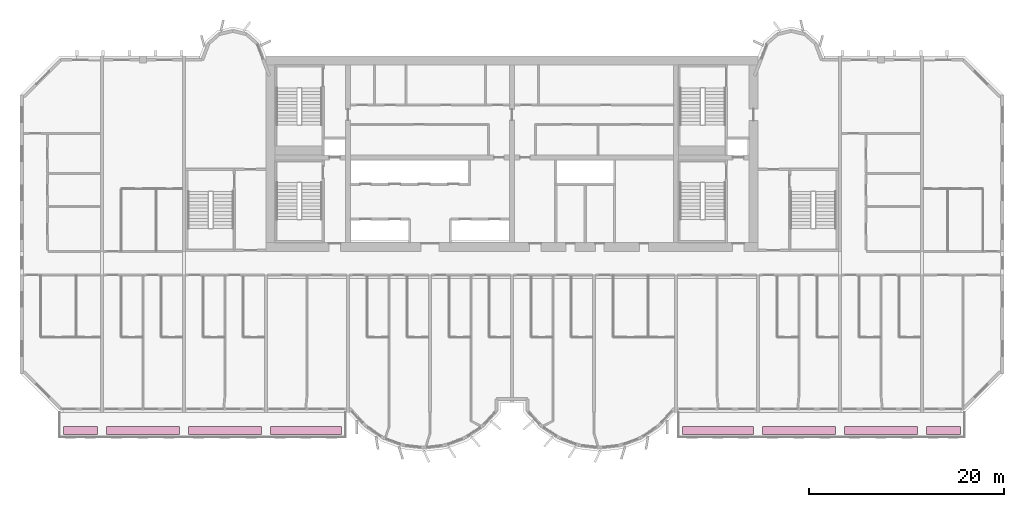
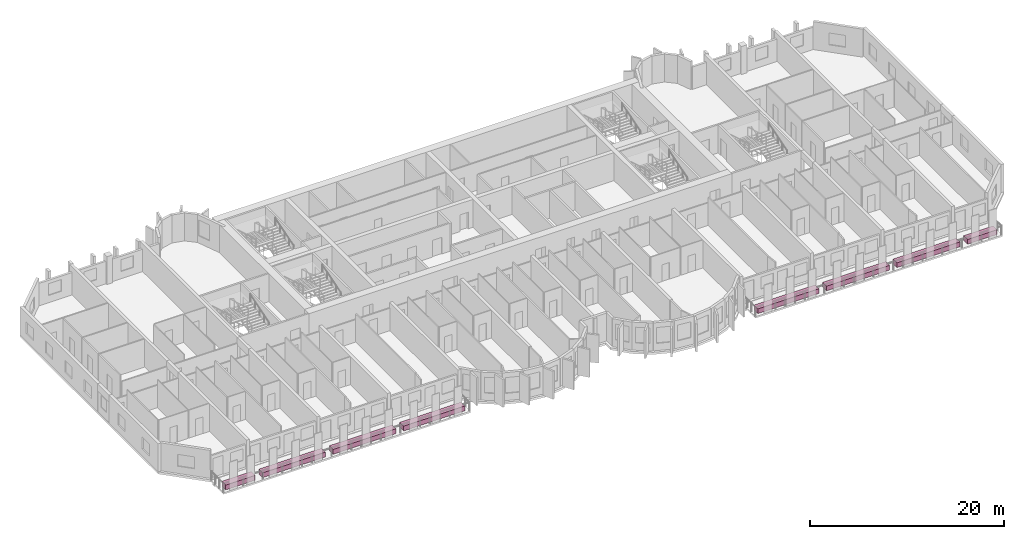
# One storey, part 14 of 14: 8 furniture elements.
"""IFC4 building model written with IfcOpenShell, lengths in metres."""

from ifc_helpers import new_model, si_unit, direction, frame, origin, origin_2d, place, context, subcontext, project, spatial, rectangle, extrude, source, transform, mapped, material, type_object, element, save


model = new_model("IFC4")

# Units and contexts
model_context = context("Model", 3, precision=1e-05, world=origin(), true_north=direction((0.0, 1.0)))
body_context = subcontext(model_context, "Body", "Model", "MODEL_VIEW")
ifc_project = project(units=[si_unit("LENGTHUNIT", "METRE"), si_unit("AREAUNIT", "SQUARE_METRE"), si_unit("VOLUMEUNIT", "CUBIC_METRE"), si_unit("PLANEANGLEUNIT", "RADIAN"), si_unit("MASSUNIT", "GRAM", prefix="KILO")], contexts=[model_context])

# Site, building, storey
site_placement = place(None, origin())
site = spatial("IfcSite", under=ifc_project, at=site_placement, CompositionType="ELEMENT")
building_placement = place(site_placement, origin())
building = spatial("IfcBuilding", under=site, at=building_placement, Name="Vanashikhar Sky Hotel", CompositionType="ELEMENT")
storey_placement = place(building_placement, frame((0.0, 0.0, 125.60009765625)))
storey = spatial("IfcBuildingStorey", under=building, at=storey_placement, Name="L30", CompositionType="ELEMENT", Elevation=125.60009765625)

# Furniture
ifc_material = material(Name="Planting soil and shrubs")
furniture_type = type_object("IfcFurnitureType", Name="Planter trough", AssemblyPlace="NOTDEFINED", PredefinedType="USERDEFINED", material=ifc_material)
shared_shape_1 = source(origin(), body_context, "Body", "SweptSolid", [
    extrude(rectangle(XDim=3.5, YDim=0.800048828125, at=origin_2d()), origin(), (0.0, 0.0, 1.0), 0.60009765625),
])
for number, where, z_axis, x_axis, name in (
    (1, (6.199951171875, 3.64990234375, -0.050048828125), (0.0, 0.0, 1.0), (1.0, 0.0, 0.0), "PLANTER with climbers"),
    (2, (94.60009765625, 3.64990234375, -0.050048828125), (0.0, 0.0, 1.0), (1.0, 0.0, 0.0), "PLANTER with climbers"),
):
    element("IfcFurniture", number, at=place(storey_placement, frame(where, z_axis=z_axis, x_axis=x_axis)), inside=storey, type_object=furniture_type, Name=name, ObjectType="PLANTER", PredefinedType="USERDEFINED", context=body_context, shape_type="MappedRepresentation", body=[
        mapped(shared_shape_1, transform((0.0, 0.0, 0.0), scale=1.0)),
    ])
shared_shape_2 = source(origin(), body_context, "Body", "SweptSolid", [
    extrude(rectangle(XDim=7.5, YDim=0.800048828125, at=origin_2d()), origin(), (0.0, 0.0, 1.0), 0.60009765625),
])
for number, where, z_axis, x_axis, name in (
    (3, (12.60009765625, 3.64990234375, -0.050048828125), (0.0, 0.0, 1.0), (1.0, 0.0, 0.0), "PLANTER with climbers"),
    (4, (21.0, 3.64990234375, -0.050048828125), (0.0, 0.0, 1.0), (1.0, 0.0, 0.0), "PLANTER with climbers"),
    (5, (79.800048828125, 3.64990234375, -0.050048828125), (0.0, 0.0, 1.0), (1.0, 0.0, 0.0), "PLANTER with climbers"),
    (6, (88.199951171875, 3.64990234375, -0.050048828125), (0.0, 0.0, 1.0), (1.0, 0.0, 0.0), "PLANTER with climbers"),
):
    element("IfcFurniture", number, at=place(storey_placement, frame(where, z_axis=z_axis, x_axis=x_axis)), inside=storey, type_object=furniture_type, Name=name, ObjectType="PLANTER", PredefinedType="USERDEFINED", context=body_context, shape_type="MappedRepresentation", body=[
        mapped(shared_shape_2, transform((0.0, 0.0, 0.0), scale=1.0)),
    ])
shared_shape_3 = source(origin(), body_context, "Body", "SweptSolid", [
    extrude(rectangle(XDim=7.300048828125, YDim=0.800048828125, at=origin_2d()), origin(), (0.0, 0.0, 1.0), 0.60009765625),
])
for number, where, z_axis, x_axis, name in (
    (7, (29.300048828125, 3.64990234375, -0.050048828125), (0.0, 0.0, 1.0), (1.0, 0.0, 0.0), "PLANTER with climbers"),
    (8, (71.5, 3.64990234375, -0.050048828125), (0.0, 0.0, 1.0), (1.0, 0.0, 0.0), "PLANTER with climbers"),
):
    element("IfcFurniture", number, at=place(storey_placement, frame(where, z_axis=z_axis, x_axis=x_axis)), inside=storey, type_object=furniture_type, Name=name, ObjectType="PLANTER", PredefinedType="USERDEFINED", context=body_context, shape_type="MappedRepresentation", body=[
        mapped(shared_shape_3, transform((0.0, 0.0, 0.0), scale=1.0)),
    ])

save(model, "model.ifc")
